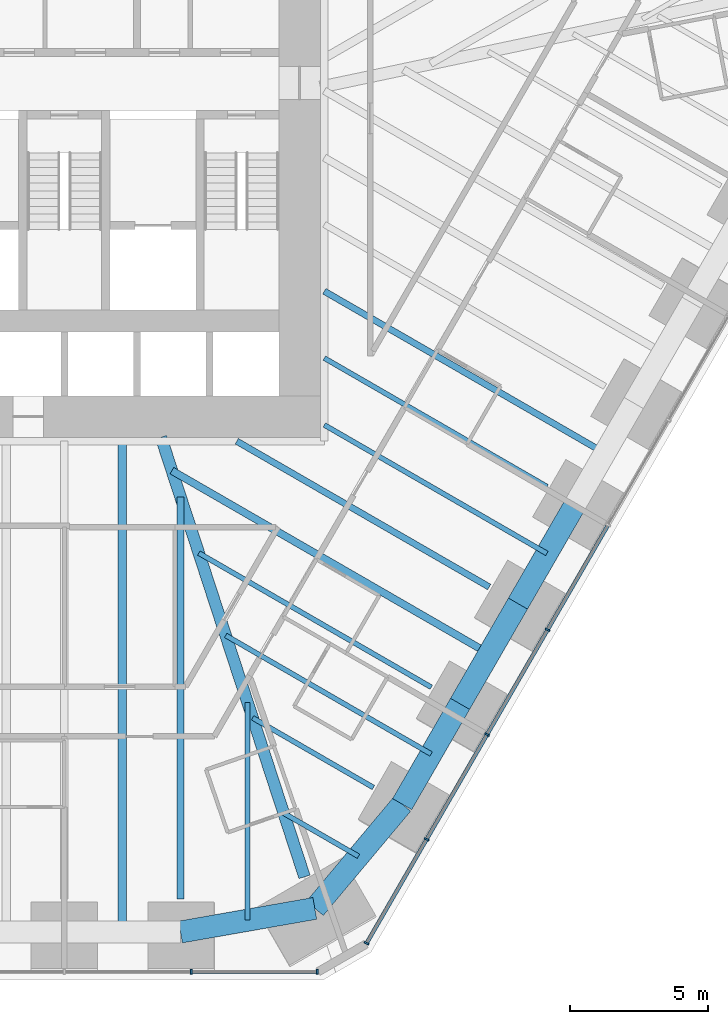
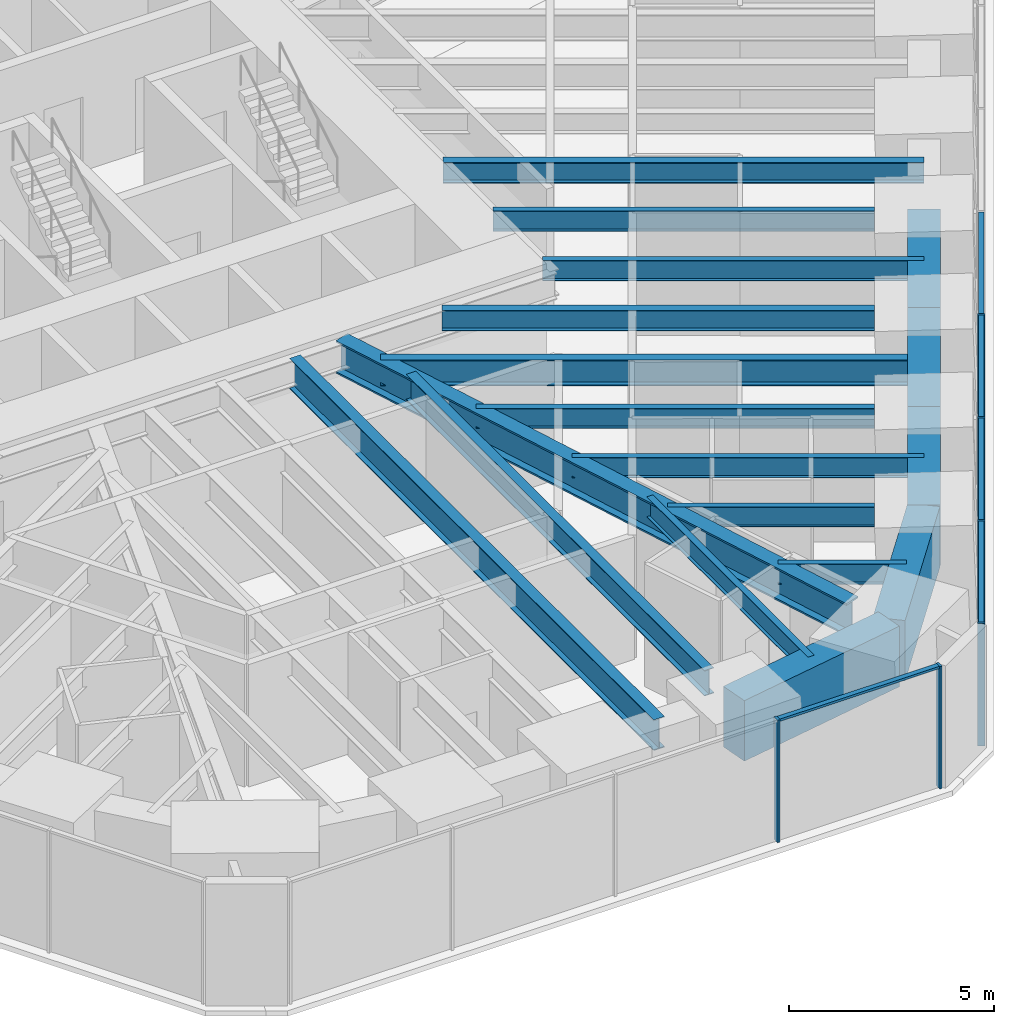
# One storey, part 5 of 17: 18 beams, 11 members, 2 elements without a shape of their own.
"""IFC4 building model written with IfcOpenShell, lengths in metres."""

import ifcopenshell
import ifcopenshell.guid

model = None  # the IFC model being written
_history = None  # IfcOwnerHistory: only IFC2X3 demands one
_inside = {}  # id of a spatial element -> (the spatial element, [elements in it])
_under = {}  # id of a project, library or spatial element -> (it, [spatial elements below it])
_declared = {}  # id of a project -> (the project, [libraries it declares])
_typed = {}  # id of a type object -> (the type object, [elements of that type])
_made_of = {}  # id of a material, layer set ... -> (it, [elements and type objects made of it])


def new_model(schema):
    """Start an empty IFC model of exactly this schema.

    Asked for "IFC4X3", IfcOpenShell would pick the latest addendum, in which some entities
    have other attributes; the version numbers below select the first issue.
    IFC2X3 requires an IfcOwnerHistory on every rooted entity: one is made here for all.
    """
    global model, _history
    if schema == "IFC4X3":
        model = ifcopenshell.file(schema_version=(4, 3, 0, 0))
    else:
        model = ifcopenshell.file(schema=schema)
    _inside.clear()
    _under.clear()
    _declared.clear()
    _typed.clear()
    _made_of.clear()
    _history = None
    if model.schema == "IFC2X3":
        org = make("IfcOrganization", Name="unknown")
        user = make(
            "IfcPersonAndOrganization",
            ThePerson=make("IfcPerson", FamilyName="unknown"),
            TheOrganization=org,
        )
        app = make(
            "IfcApplication",
            ApplicationDeveloper=org,
            Version="unknown",
            ApplicationFullName="unknown",
            ApplicationIdentifier="unknown",
        )
        _history = make(
            "IfcOwnerHistory",
            OwningUser=user,
            OwningApplication=app,
            ChangeAction="ADDED",
            CreationDate=0,
        )
    return model


def make(cls, **values):
    """One entity of the class cls with the attributes given. An attribute that is None is left unset."""
    return model.create_entity(
        cls, **{name: value for name, value in values.items() if value is not None}
    )


def rooted(cls, **values):
    """An entity with a GlobalId (a new one), such as an element, a storey or a relation."""
    return make(cls, GlobalId=ifcopenshell.guid.new(), OwnerHistory=_history, **values)


def si_unit(unit_type, name, prefix=None):
    """IfcSIUnit, for example si_unit("LENGTHUNIT", "METRE", prefix="MILLI")."""
    return make("IfcSIUnit", UnitType=unit_type, Prefix=prefix, Name=name)


def assignment(units):
    """IfcUnitAssignment: the units of a project."""
    return None if units is None else make("IfcUnitAssignment", Units=units)


def point(xyz):
    """IfcCartesianPoint."""
    return None if xyz is None else make("IfcCartesianPoint", Coordinates=xyz)


def direction(xyz):
    """IfcDirection."""
    return None if xyz is None else make("IfcDirection", DirectionRatios=xyz)


def frame(location, z_axis=None, x_axis=None):
    """IfcAxis2Placement3D, a coordinate frame: its origin and axes. An axis left out is left unset."""
    return make(
        "IfcAxis2Placement3D",
        Location=point(location),
        Axis=direction(z_axis),
        RefDirection=direction(x_axis),
    )


def frame_2d(location, x_axis=None):
    """IfcAxis2Placement2D, a coordinate frame in the plane: its origin and x axis."""
    return make(
        "IfcAxis2Placement2D", Location=point(location), RefDirection=direction(x_axis)
    )


def origin():
    """The frame at (0, 0, 0) with its axes left unset."""
    return frame((0.0, 0.0, 0.0))


def origin_2d():
    """The frame at (0, 0) in the plane with its x axis left unset."""
    return frame_2d((0.0, 0.0))


def place(relative_to, where):
    """IfcLocalPlacement: puts the frame where relative to a parent placement (None: the world)."""
    return make(
        "IfcLocalPlacement", PlacementRelTo=relative_to, RelativePlacement=where
    )


def context(
    kind, dimensions, precision=None, world=None, true_north=None, identifier=None
):
    """IfcGeometricRepresentationContext, for example the 3D "Model" context."""
    return make(
        "IfcGeometricRepresentationContext",
        ContextIdentifier=identifier,
        ContextType=kind,
        CoordinateSpaceDimension=dimensions,
        Precision=precision,
        WorldCoordinateSystem=world,
        TrueNorth=true_north,
    )


def subcontext(parent, identifier, kind, view, scale=None):
    """IfcGeometricRepresentationSubContext, for example "Body" below "Model"."""
    return make(
        "IfcGeometricRepresentationSubContext",
        ContextIdentifier=identifier,
        ContextType=kind,
        ParentContext=parent,
        TargetScale=scale,
        TargetView=view,
    )


def project(units=None, contexts=None):
    """IfcProject with its units and contexts."""
    return rooted(
        "IfcProject",
        Name="project",
        RepresentationContexts=contexts,
        UnitsInContext=assignment(units),
    )


def spatial(cls, under=None, at=None, **own):
    """A site, building, storey or space (cls), placed at a placement, below another one or the project."""
    s = rooted(cls, ObjectPlacement=at, **own)
    if under is not None:
        _under.setdefault(under.id(), (under, []))[1].append(s)
    return s


def profile(cls, at=None, kind="AREA", **sizes):
    """A parametric profile (cls). Its sizes go by their IFC names, for example OverallWidth=200.0."""
    return make(cls, ProfileType=kind, Position=at, **sizes)


def rectangle(**sizes):
    """IfcRectangleProfileDef."""
    return profile("IfcRectangleProfileDef", **sizes)


def i_section(**sizes):
    """IfcIShapeProfileDef."""
    return profile("IfcIShapeProfileDef", **sizes)


def extrude(swept, where, along, depth):
    """IfcExtrudedAreaSolid: the profile swept, set in the frame where, extruded along a direction by depth."""
    return make(
        "IfcExtrudedAreaSolid",
        SweptArea=swept,
        Position=where,
        ExtrudedDirection=direction(along),
        Depth=depth,
    )


def shape(context_of_items, identifier, shape_type, items):
    """IfcShapeRepresentation: the items that make up one representation, for example the "Body"."""
    return make(
        "IfcShapeRepresentation",
        ContextOfItems=context_of_items,
        RepresentationIdentifier=identifier,
        RepresentationType=shape_type,
        Items=items,
    )


def material(Name=None, Category=None):
    """IfcMaterial."""
    return make("IfcMaterial", Name=Name, Category=Category)


def material_profile(
    of_material, cross_section, Name=None, Category=None, Priority=None
):
    """IfcMaterialProfile: a cross section and its material."""
    return make(
        "IfcMaterialProfile",
        Name=Name,
        Material=of_material,
        Profile=cross_section,
        Priority=Priority,
        Category=Category,
    )


def profile_set(profiles, Name=None, composite=None):
    """IfcMaterialProfileSet."""
    return make(
        "IfcMaterialProfileSet",
        Name=Name,
        MaterialProfiles=profiles,
        CompositeProfile=composite,
    )


def made_of(thing, what):
    """Note that an element or type object is made of a material, layer set ...; save() writes the relation."""
    if what is not None:
        _made_of.setdefault(what.id(), (what, []))[1].append(thing)
    return thing


def type_object(cls, material=None, **own):
    """A type object (cls), such as IfcWallType, which elements share."""
    return made_of(rooted(cls, **own), material)


def element(
    cls,
    number,
    at=None,
    inside=None,
    cuts=None,
    type_object=None,
    material=None,
    context=None,
    identifier="Body",
    shape_type=None,
    held_by="IfcProductDefinitionShape",
    body=None,
    shapes=None,
    **own,
):
    """One element of the class cls, such as IfcWall. Its Tag is "e" and its number.

    at: its placement. inside: the storey or other place that contains it. cuts: it is an
    opening in that element (IfcRelVoidsElement). A single representation is given by context,
    identifier, shape_type and body (its items); several are given by shapes. held_by: the class
    of the entity that holds the representations. save() writes the other relations.
    """
    e = rooted(cls, Tag="e%d" % number, ObjectPlacement=at, **own)
    if body is not None:
        shapes = [shape(context, identifier, shape_type, body)]
    if shapes is not None:
        e.Representation = make(held_by, Representations=shapes)
    if inside is not None:
        _inside.setdefault(inside.id(), (inside, []))[1].append(e)
    if cuts is not None:
        rooted(
            "IfcRelVoidsElement", RelatingBuildingElement=cuts, RelatedOpeningElement=e
        )
    if type_object is not None:
        _typed.setdefault(type_object.id(), (type_object, []))[1].append(e)
    return made_of(e, material)


def aggregate(whole, parts):
    """IfcRelAggregates: a whole, such as a stair, and the parts it consists of."""
    return rooted("IfcRelAggregates", RelatingObject=whole, RelatedObjects=parts)


def save(model, path):
    """Write the relations noted so far, then the file.

    IfcRelAggregates (storeys below a building ...), IfcRelContainedInSpatialStructure (elements
    in a storey), IfcRelDefinesByType, IfcRelAssociatesMaterial and IfcRelDeclares: one each for
    every whole, place, type object, material and project.
    """
    for whole, parts in _under.values():
        aggregate(whole, parts)
    for where, things in _inside.values():
        rooted(
            "IfcRelContainedInSpatialStructure",
            RelatedElements=things,
            RelatingStructure=where,
        )
    for kind, things in _typed.values():
        rooted("IfcRelDefinesByType", RelatedObjects=things, RelatingType=kind)
    for what, things in _made_of.values():
        rooted("IfcRelAssociatesMaterial", RelatedObjects=things, RelatingMaterial=what)
    for by, libraries in _declared.values():
        rooted("IfcRelDeclares", RelatingContext=by, RelatedDefinitions=libraries)
    model.write(path)


model = new_model("IFC4")

# Units and contexts
model_context = context("Model", 3, precision=1e-05, world=origin(), true_north=direction((0.0, 1.0)))
body_context = subcontext(model_context, "Body", "Model", "MODEL_VIEW")
ifc_project = project(units=[si_unit("LENGTHUNIT", "METRE"), si_unit("AREAUNIT", "SQUARE_METRE"), si_unit("VOLUMEUNIT", "CUBIC_METRE"), si_unit("PLANEANGLEUNIT", "RADIAN"), si_unit("MASSUNIT", "GRAM", prefix="KILO")], contexts=[model_context])

# Site, building, storey
site_placement = place(None, origin())
site = spatial("IfcSite", under=ifc_project, at=site_placement, CompositionType="ELEMENT")
building_placement = place(site_placement, origin())
building = spatial("IfcBuilding", under=site, at=building_placement, Name="Sandreach Pilgrim Tower", CompositionType="ELEMENT")
storey_placement = place(building_placement, frame((0.0, 0.0, 57.199951171875)))
storey = spatial("IfcBuildingStorey", under=building, at=storey_placement, Name="L13", CompositionType="ELEMENT", Elevation=57.199951171875)

# Curtain wall, members
ifc_material_1 = material(Name="Aluminium framed curtain wall", Category="aluminium")
curtain_wall_type = type_object("IfcCurtainWallType", Name="Hostel tower curtain wall", PredefinedType="NOTDEFINED", material=ifc_material_1)
curtain_wall_1_placement = place(storey_placement, origin())
curtain_wall_1 = element("IfcCurtainWall", 1, at=curtain_wall_1_placement, inside=storey, type_object=curtain_wall_type, Name="CW-1 L13 SE", PredefinedType="NOTDEFINED")
ifc_material_2 = material(Name="Aluminium extrusion", Category="aluminium")
ifc_material_profile_1 = material_profile(ifc_material_2, rectangle(XDim=0.06494140625, YDim=0.179931640625, at=origin_2d()), Name="CW-1M 65X180")
ifc_profile_set_1 = profile_set([ifc_material_profile_1], Name="Aluminium extrusion")
member_type_1 = type_object("IfcMemberType", Name="CW-1 mullion", PredefinedType="MULLION", material=ifc_profile_set_1)
member_1_placement = place(storey_placement, frame((17.46142578125, -17.6533203125, 0.0), z_axis=(0.0, 0.0, 1.0), x_axis=(-0.5, -0.866025403784, 0.0)))
member_1 = element("IfcMember", 2, at=member_1_placement, type_object=member_type_1, Name="CW-1 mullion 7", PredefinedType="MULLION", context=body_context, shape_type="SweptSolid", body=[
    extrude(rectangle(XDim=0.06494140625, YDim=0.179931640625, at=origin_2d()), origin(), (0.0, 0.0, 1.0), 3.64013671875),
])
member_2_placement = place(storey_placement, frame((15.275634765625, -21.439208984375, 0.0), z_axis=(0.0, 0.0, 1.0), x_axis=(-0.5, -0.866025403784, 0.0)))
member_2 = element("IfcMember", 3, at=member_2_placement, type_object=member_type_1, Name="CW-1 mullion 8", PredefinedType="MULLION", context=body_context, shape_type="SweptSolid", body=[
    extrude(rectangle(XDim=0.06494140625, YDim=0.179931640625, at=origin_2d()), origin(), (0.0, 0.0, 1.0), 3.64013671875),
])
member_3_placement = place(storey_placement, frame((13.08984375, -25.22509765625, 0.0), z_axis=(0.0, 0.0, 1.0), x_axis=(-0.5, -0.866025403784, 0.0)))
member_3 = element("IfcMember", 4, at=member_3_placement, type_object=member_type_1, Name="CW-1 mullion 9", PredefinedType="MULLION", context=body_context, shape_type="SweptSolid", body=[
    extrude(rectangle(XDim=0.06494140625, YDim=0.179931640625, at=origin_2d()), origin(), (0.0, 0.0, 1.0), 3.64013671875),
])
member_4_placement = place(storey_placement, frame((10.92041015625, -28.982666015625, 0.0), z_axis=(0.0, 0.0, 1.0), x_axis=(-0.5, -0.866025403784, 0.0)))
member_4 = element("IfcMember", 5, at=member_4_placement, type_object=member_type_1, Name="CW-1 mullion 10", PredefinedType="MULLION", context=body_context, shape_type="SweptSolid", body=[
    extrude(rectangle(XDim=0.06494140625, YDim=0.179931640625, at=origin_2d()), origin(), (0.0, 0.0, 1.0), 3.64013671875),
])

curtain_wall_2_placement = place(storey_placement, origin())
curtain_wall_2 = element("IfcCurtainWall", 6, at=curtain_wall_2_placement, inside=storey, type_object=curtain_wall_type, Name="CW-1 L13 S", PredefinedType="NOTDEFINED")
member_5_placement = place(storey_placement, frame((9.1396484375, -30.010986328125, 0.0), z_axis=(0.0, 0.0, 1.0), x_axis=(-1.0, 0.0, 0.0)))
member_5 = element("IfcMember", 7, at=member_5_placement, type_object=member_type_1, Name="CW-1 mullion 1", PredefinedType="MULLION", context=body_context, shape_type="SweptSolid", body=[
    extrude(rectangle(XDim=0.06494140625, YDim=0.179931640625, at=origin_2d()), origin(), (0.0, 0.0, 1.0), 3.64013671875),
])
member_6_placement = place(storey_placement, frame((4.5859375, -30.010986328125, 0.0), z_axis=(0.0, 0.0, 1.0), x_axis=(-1.0, 0.0, 0.0)))
member_6 = element("IfcMember", 8, at=member_6_placement, type_object=member_type_1, Name="CW-1 mullion 2", PredefinedType="MULLION", context=body_context, shape_type="SweptSolid", body=[
    extrude(rectangle(XDim=0.06494140625, YDim=0.179931640625, at=origin_2d()), origin(), (0.0, 0.0, 1.0), 3.64013671875),
])

# Member
ifc_material_3 = material(Name="Aluminium extrusion", Category="aluminium")
ifc_material_profile_2 = material_profile(ifc_material_3, rectangle(XDim=0.139892578125, YDim=0.070068359375, at=origin_2d()), Name="CW-1T 140X70")
ifc_profile_set_2 = profile_set([ifc_material_profile_2], Name="Aluminium extrusion")
member_type_2 = type_object("IfcMemberType", Name="CW-1 transom", PredefinedType="USERDEFINED", material=ifc_profile_set_2)
member_7_placement = place(storey_placement, frame((19.631103515625, -13.8955078125, 3.60498046875), z_axis=(-0.500016891966, -0.866015650984, 0.0), x_axis=(0.866015650984, -0.500016891966, 0.0)))
member_7 = element("IfcMember", 9, at=member_7_placement, type_object=member_type_2, Name="CW-1 head transom 6", ObjectType="TRANSOM", PredefinedType="USERDEFINED", context=body_context, shape_type="SweptSolid", body=[
    extrude(rectangle(XDim=0.139892578125, YDim=0.070068359375, at=origin_2d()), origin(), (0.0, 0.0, 1.0), 4.306396484375),
])

member_8_placement = place(storey_placement, frame((17.4453125, -17.681396484375, 3.60498046875), z_axis=(-0.500016891966, -0.866015650984, 0.0), x_axis=(0.866015650984, -0.500016891966, 0.0)))
member_8 = element("IfcMember", 10, at=member_8_placement, type_object=member_type_2, Name="CW-1 head transom 7", ObjectType="TRANSOM", PredefinedType="USERDEFINED", context=body_context, shape_type="SweptSolid", body=[
    extrude(rectangle(XDim=0.139892578125, YDim=0.070068359375, at=origin_2d()), origin(), (0.0, 0.0, 1.0), 4.306396484375),
])

member_9_placement = place(storey_placement, frame((15.259521484375, -21.46728515625, 3.60498046875), z_axis=(-0.500016891966, -0.866015650984, 0.0), x_axis=(0.866015650984, -0.500016891966, 0.0)))
member_9 = element("IfcMember", 11, at=member_9_placement, type_object=member_type_2, Name="CW-1 head transom 8", ObjectType="TRANSOM", PredefinedType="USERDEFINED", context=body_context, shape_type="SweptSolid", body=[
    extrude(rectangle(XDim=0.139892578125, YDim=0.070068359375, at=origin_2d()), origin(), (0.0, 0.0, 1.0), 4.306396484375),
])

member_10_placement = place(storey_placement, frame((13.07373046875, -25.253173828125, 3.60498046875), z_axis=(-0.500033953635, -0.866005799756, 0.0), x_axis=(0.866005799756, -0.500033953635, 0.0)))
member_10 = element("IfcMember", 12, at=member_10_placement, type_object=member_type_2, Name="CW-1 head transom 9", ObjectType="TRANSOM", PredefinedType="USERDEFINED", context=body_context, shape_type="SweptSolid", body=[
    extrude(rectangle(XDim=0.139892578125, YDim=0.070068359375, at=origin_2d()), origin(), (0.0, 0.0, 1.0), 4.274169921875),
])

aggregate(curtain_wall_1, [member_1, member_2, member_3, member_4, member_7, member_8, member_9, member_10])

member_11_placement = place(storey_placement, frame((9.107177734375, -30.010986328125, 3.60498046875), z_axis=(-1.0, 0.0, 0.0), x_axis=(0.0, -1.0, 0.0)))
member_11 = element("IfcMember", 13, at=member_11_placement, type_object=member_type_2, Name="CW-1 head transom 1", ObjectType="TRANSOM", PredefinedType="USERDEFINED", context=body_context, shape_type="SweptSolid", body=[
    extrude(rectangle(XDim=0.139892578125, YDim=0.070068359375, at=origin_2d()), origin(), (0.0, 0.0, 1.0), 4.488525390625),
])

aggregate(curtain_wall_2, [member_5, member_6, member_11])

# Beams
ifc_material_4 = material(Name="Steel ASTM A992 Grade 50", Category="steel")
ifc_material_profile_3 = material_profile(ifc_material_4, i_section(OverallWidth=0.424072265625, OverallDepth=0.965087890625, WebThickness=0.028564453125, FlangeThickness=0.051025390625, at=origin_2d()), Name="W36X361")
ifc_profile_set_3 = profile_set([ifc_material_profile_3], Name="Steel ASTM A992 Grade 50")
beam_type_1 = type_object("IfcBeamType", Name="Corner girder W36X361", PredefinedType="BEAM", material=ifc_profile_set_3)
beam_1_placement = place(storey_placement, frame((8.677490234375, -26.583251953125, 3.157470703125), z_axis=(-0.310316896181, 0.950633170021, 0.0), x_axis=(-0.950633170021, -0.310316896181, 0.0)))
element("IfcBeam", 14, at=beam_1_placement, inside=storey, type_object=beam_type_1, Name="BM L13 CG22", PredefinedType="BEAM", context=body_context, shape_type="SweptSolid", body=[
    extrude(i_section(OverallWidth=0.424072265625, OverallDepth=0.965087890625, WebThickness=0.028564453125, FlangeThickness=0.051025390625, at=origin_2d()), origin(), (0.0, 0.0, 1.0), 16.7080078125),
])
ifc_material_5 = material(Name="Steel ASTM A992 Grade 50", Category="steel")
ifc_material_profile_4 = material_profile(ifc_material_5, i_section(OverallWidth=0.1787109375, OverallDepth=0.60205078125, WebThickness=0.010986328125, FlangeThickness=0.014892578125, at=origin_2d()), Name="W24X62")
ifc_profile_set_4 = profile_set([ifc_material_profile_4], Name="Steel ASTM A992 Grade 50")
beam_type_2 = type_object("IfcBeamType", Name="Floor beam W24X62", PredefinedType="BEAM", material=ifc_profile_set_4)
beam_2_placement = place(storey_placement, frame((17.44287109375, -12.486328125, 3.339111328125), z_axis=(-0.866023307911, 0.500003630142, 0.0), x_axis=(-0.500003630142, -0.866023307911, 0.0)))
element("IfcBeam", 15, at=beam_2_placement, inside=storey, type_object=beam_type_2, Name="BM L13 F18", PredefinedType="BEAM", context=body_context, shape_type="SweptSolid", body=[
    extrude(i_section(OverallWidth=0.1787109375, OverallDepth=0.60205078125, WebThickness=0.010986328125, FlangeThickness=0.014892578125, at=origin_2d()), origin(), (0.0, 0.0, 1.0), 9.294921875),
])
beam_3_placement = place(storey_placement, frame((13.2587890625, -19.733154296875, 3.339111328125), z_axis=(-0.866025898704, 0.499999142773, 0.0), x_axis=(-0.499999142773, -0.866025898704, 0.0)))
element("IfcBeam", 16, at=beam_3_placement, inside=storey, type_object=beam_type_2, Name="BM L13 F20", PredefinedType="BEAM", context=body_context, shape_type="SweptSolid", body=[
    extrude(i_section(OverallWidth=0.1787109375, OverallDepth=0.60205078125, WebThickness=0.010986328125, FlangeThickness=0.014892578125, at=origin_2d()), origin(), (0.0, 0.0, 1.0), 9.7001953125),
])
beam_4_placement = place(storey_placement, frame((11.166748046875, -23.356689453125, 3.339111328125), z_axis=(-0.866025882247, 0.499999171277, 0.0), x_axis=(-0.499999171277, -0.866025882247, 0.0)))
element("IfcBeam", 17, at=beam_4_placement, inside=storey, type_object=beam_type_2, Name="BM L13 F21", PredefinedType="BEAM", context=body_context, shape_type="SweptSolid", body=[
    extrude(i_section(OverallWidth=0.1787109375, OverallDepth=0.60205078125, WebThickness=0.010986328125, FlangeThickness=0.014892578125, at=origin_2d()), origin(), (0.0, 0.0, 1.0), 5.04052734375),
])
beam_5_placement = place(storey_placement, frame((17.43603515625, -14.89794921875, 3.339111328125), z_axis=(-0.866032801962, 0.499987185761, 0.0), x_axis=(-0.499987185761, -0.866032801962, 0.0)))
element("IfcBeam", 18, at=beam_5_placement, inside=storey, type_object=beam_type_2, Name="BM L13 FM18", PredefinedType="BEAM", context=body_context, shape_type="SweptSolid", body=[
    extrude(i_section(OverallWidth=0.1787109375, OverallDepth=0.60205078125, WebThickness=0.010986328125, FlangeThickness=0.014892578125, at=origin_2d()), origin(), (0.0, 0.0, 1.0), 9.286865234375),
])
beam_6_placement = place(storey_placement, frame((13.251953125, -22.14501953125, 3.339111328125), z_axis=(-0.866013383541, 0.500020819095, 0.0), x_axis=(-0.500020819095, -0.866013383541, 0.0)))
element("IfcBeam", 19, at=beam_6_placement, inside=storey, type_object=beam_type_2, Name="BM L13 FM20", PredefinedType="BEAM", context=body_context, shape_type="SweptSolid", body=[
    extrude(i_section(OverallWidth=0.1787109375, OverallDepth=0.60205078125, WebThickness=0.010986328125, FlangeThickness=0.014892578125, at=origin_2d()), origin(), (0.0, 0.0, 1.0), 8.570556640625),
])
beam_7_placement = place(storey_placement, frame((10.6279296875, -25.84033203125, 3.339111328125), z_axis=(-0.866029224906, 0.499993381564, 0.0), x_axis=(-0.499993381564, -0.866029224906, 0.0)))
element("IfcBeam", 20, at=beam_7_placement, inside=storey, type_object=beam_type_2, Name="BM L13 FM21", PredefinedType="BEAM", context=body_context, shape_type="SweptSolid", body=[
    extrude(i_section(OverallWidth=0.1787109375, OverallDepth=0.60205078125, WebThickness=0.010986328125, FlangeThickness=0.014892578125, at=origin_2d()), origin(), (0.0, 0.0, 1.0), 3.1201171875),
])
beam_8_placement = place(storey_placement, frame((6.623291015625, -28.150146484375, 3.339111328125), z_axis=(0.0, 1.0, 0.0), x_axis=(-1.0, 0.0, 0.0)))
element("IfcBeam", 21, at=beam_8_placement, inside=storey, type_object=beam_type_2, Name="BM L13 FM22", PredefinedType="BEAM", context=body_context, shape_type="SweptSolid", body=[
    extrude(i_section(OverallWidth=0.1787109375, OverallDepth=0.60205078125, WebThickness=0.010986328125, FlangeThickness=0.014892578125, at=origin_2d()), origin(), (0.0, 0.0, 1.0), 7.85986328125),
])
ifc_material_6 = material(Name="Steel ASTM A992 Grade 50", Category="steel")
ifc_material_profile_5 = material_profile(ifc_material_6, i_section(OverallWidth=0.23046875, OverallDepth=0.6171875, WebThickness=0.01318359375, FlangeThickness=0.022216796875, at=origin_2d()), Name="W24X94")
ifc_profile_set_5 = profile_set([ifc_material_profile_5], Name="Steel ASTM A992 Grade 50")
beam_type_3 = type_object("IfcBeamType", Name="Floor beam W24X94", PredefinedType="BEAM", material=ifc_profile_set_5)
beam_9_placement = place(storey_placement, frame((15.350830078125, -16.109619140625, 3.33154296875), z_axis=(-0.86602500991, 0.500000682211, 0.0), x_axis=(-0.500000682211, -0.86602500991, 0.0)))
element("IfcBeam", 22, at=beam_9_placement, inside=storey, type_object=beam_type_3, Name="BM L13 F19", PredefinedType="BEAM", context=body_context, shape_type="SweptSolid", body=[
    extrude(i_section(OverallWidth=0.23046875, OverallDepth=0.6171875, WebThickness=0.01318359375, FlangeThickness=0.022216796875, at=origin_2d()), origin(), (0.0, 0.0, 1.0), 10.53271484375),
])
beam_10_placement = place(storey_placement, frame((19.528076171875, -11.274658203125, 3.33154296875), z_axis=(-0.866025081961, 0.500000557414, 0.0), x_axis=(-0.500000557414, -0.866025081961, 0.0)))
element("IfcBeam", 23, at=beam_10_placement, inside=storey, type_object=beam_type_3, Name="BM L13 FM17", PredefinedType="BEAM", context=body_context, shape_type="SweptSolid", body=[
    extrude(i_section(OverallWidth=0.23046875, OverallDepth=0.6171875, WebThickness=0.01318359375, FlangeThickness=0.022216796875, at=origin_2d()), origin(), (0.0, 0.0, 1.0), 11.70263671875),
])
ifc_material_7 = material(Name="Steel ASTM A992 Grade 50", Category="steel")
ifc_material_profile_6 = material_profile(ifc_material_7, i_section(OverallWidth=0.2666015625, OverallDepth=0.761962890625, WebThickness=0.014404296875, FlangeThickness=0.021484375, at=origin_2d()), Name="W30X116")
ifc_profile_set_6 = profile_set([ifc_material_profile_6], Name="Steel ASTM A992 Grade 50")
beam_type_4 = type_object("IfcBeamType", Name="Floor beam W30X116", PredefinedType="BEAM", material=ifc_profile_set_6)
beam_11_placement = place(storey_placement, frame((4.19677734375, -27.37646484375, 3.259033203125), z_axis=(0.0, 1.0, 0.0), x_axis=(-1.0, 0.0, 0.0)))
element("IfcBeam", 24, at=beam_11_placement, inside=storey, type_object=beam_type_4, Name="BM L13 F23", PredefinedType="BEAM", context=body_context, shape_type="SweptSolid", body=[
    extrude(i_section(OverallWidth=0.2666015625, OverallDepth=0.761962890625, WebThickness=0.014404296875, FlangeThickness=0.021484375, at=origin_2d()), origin(), (0.0, 0.0, 1.0), 14.52001953125),
])
beam_12_placement = place(storey_placement, frame((15.343994140625, -18.521484375, 3.259033203125), z_axis=(-0.866021174908, 0.500007324557, 0.0), x_axis=(-0.500007324557, -0.866021174908, 0.0)))
element("IfcBeam", 25, at=beam_12_placement, inside=storey, type_object=beam_type_4, Name="BM L13 FM19", PredefinedType="BEAM", context=body_context, shape_type="SweptSolid", body=[
    extrude(i_section(OverallWidth=0.2666015625, OverallDepth=0.761962890625, WebThickness=0.014404296875, FlangeThickness=0.021484375, at=origin_2d()), origin(), (0.0, 0.0, 1.0), 13.229736328125),
])
ifc_material_8 = material(Name="Steel ASTM A992 Grade 50", Category="steel")
ifc_material_profile_7 = material_profile(ifc_material_8, i_section(OverallWidth=0.3046875, OverallDepth=0.914306640625, WebThickness=0.0166015625, FlangeThickness=0.02587890625, at=origin_2d()), Name="W36X160")
ifc_profile_set_7 = profile_set([ifc_material_profile_7], Name="Steel ASTM A992 Grade 50")
beam_type_5 = type_object("IfcBeamType", Name="Floor beam W36X160", PredefinedType="BEAM", material=ifc_profile_set_7)
beam_13_placement = place(storey_placement, frame((2.098388671875, -28.576416015625, 3.182861328125), z_axis=(0.0, 1.0, 0.0), x_axis=(-1.0, 0.0, 0.0)))
element("IfcBeam", 26, at=beam_13_placement, inside=storey, type_object=beam_type_5, Name="BM L13 FM23", PredefinedType="BEAM", context=body_context, shape_type="SweptSolid", body=[
    extrude(i_section(OverallWidth=0.3046875, OverallDepth=0.914306640625, WebThickness=0.0166015625, FlangeThickness=0.02587890625, at=origin_2d()), origin(), (0.0, 0.0, 1.0), 17.733154296875),
])
ifc_material_9 = material(Name="Concrete 10000 psi", Category="concrete")
ifc_material_profile_8 = material_profile(ifc_material_9, rectangle(XDim=0.800048828125, YDim=1.800048828125, at=origin_2d()), Name="RC800X1800")
ifc_profile_set_8 = profile_set([ifc_material_profile_8], Name="Concrete 10000 psi")
beam_type_6 = type_object("IfcBeamType", Name="Spandrel beam RC800X1800", PredefinedType="SPANDREL", material=ifc_profile_set_8)
for number, where, z_axis, x_axis, name in (
    (27, (18.482177734375, -13.086181640625, 2.739990234375), (-0.499998569178, -0.866026229868, 0.0), (0.866026229868, -0.499998569178, 0.0), "BM L13 SP18"),
    (28, (16.39013671875, -16.709716796875, 2.739990234375), (-0.499998569178, -0.866026229868, 0.0), (0.866026229868, -0.499998569178, 0.0), "BM L13 SP19"),
):
    element("IfcBeam", number, at=place(storey_placement, frame(where, z_axis=z_axis, x_axis=x_axis)), inside=storey, type_object=beam_type_6, Name=name, PredefinedType="SPANDREL", context=body_context, shape_type="SweptSolid", body=[
        extrude(rectangle(XDim=0.800048828125, YDim=1.800048828125, at=origin_2d()), origin(), (0.0, 0.0, 1.0), 4.18408203125),
    ])
beam_14_placement = place(storey_placement, frame((14.298095703125, -20.333251953125, 2.739990234375), z_axis=(-0.500023836355, -0.866011641421, 0.0), x_axis=(0.866011641421, -0.500023836355, 0.0)))
element("IfcBeam", 29, at=beam_14_placement, inside=storey, type_object=beam_type_6, Name="BM L13 SP20", PredefinedType="SPANDREL", context=body_context, shape_type="SweptSolid", body=[
    extrude(rectangle(XDim=0.800048828125, YDim=1.800048828125, at=origin_2d()), origin(), (0.0, 0.0, 1.0), 4.183837890625),
])
beam_15_placement = place(storey_placement, frame((12.2060546875, -23.95654296875, 2.739990234375), z_axis=(-0.642200141583, -0.766537003772, 0.0), x_axis=(0.766537003772, -0.642200141583, 0.0)))
element("IfcBeam", 30, at=beam_15_placement, inside=storey, type_object=beam_type_6, Name="BM L13 SP21", PredefinedType="SPANDREL", context=body_context, shape_type="SweptSolid", body=[
    extrude(rectangle(XDim=0.800048828125, YDim=1.800048828125, at=origin_2d()), origin(), (0.0, 0.0, 1.0), 4.914794921875),
])
beam_16_placement = place(storey_placement, frame((9.0498046875, -27.723876953125, 2.739990234375), z_axis=(-0.984917940933, -0.173022107342, 0.0), x_axis=(0.173022107342, -0.984917940933, 0.0)))
element("IfcBeam", 31, at=beam_16_placement, inside=storey, type_object=beam_type_6, Name="BM L13 SP22", PredefinedType="SPANDREL", context=body_context, shape_type="SweptSolid", body=[
    extrude(rectangle(XDim=0.800048828125, YDim=1.800048828125, at=origin_2d()), origin(), (0.0, 0.0, 1.0), 4.92724609375),
])

save(model, "model.ifc")
